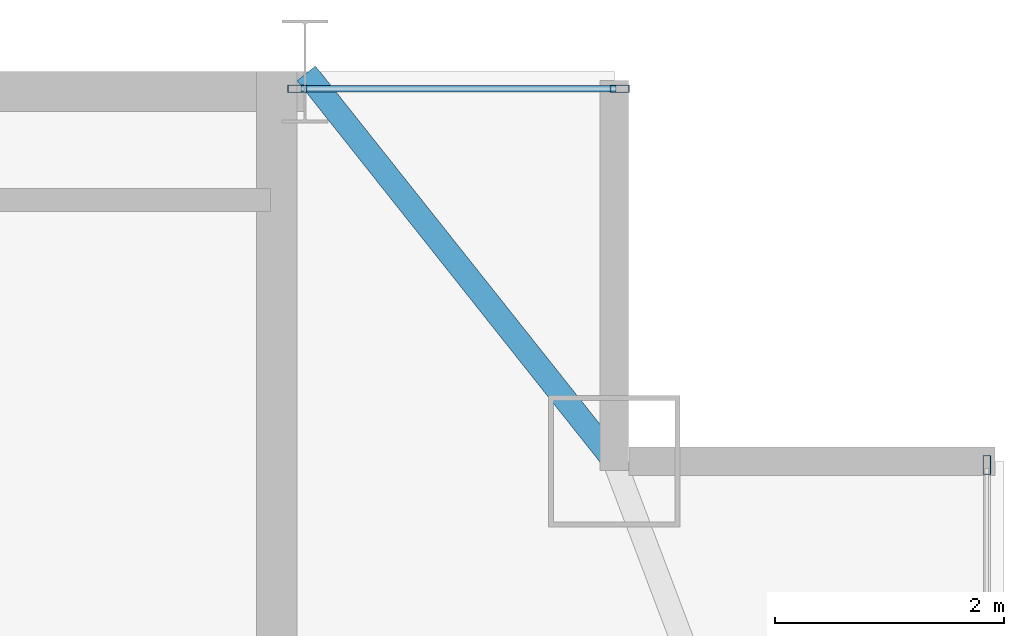
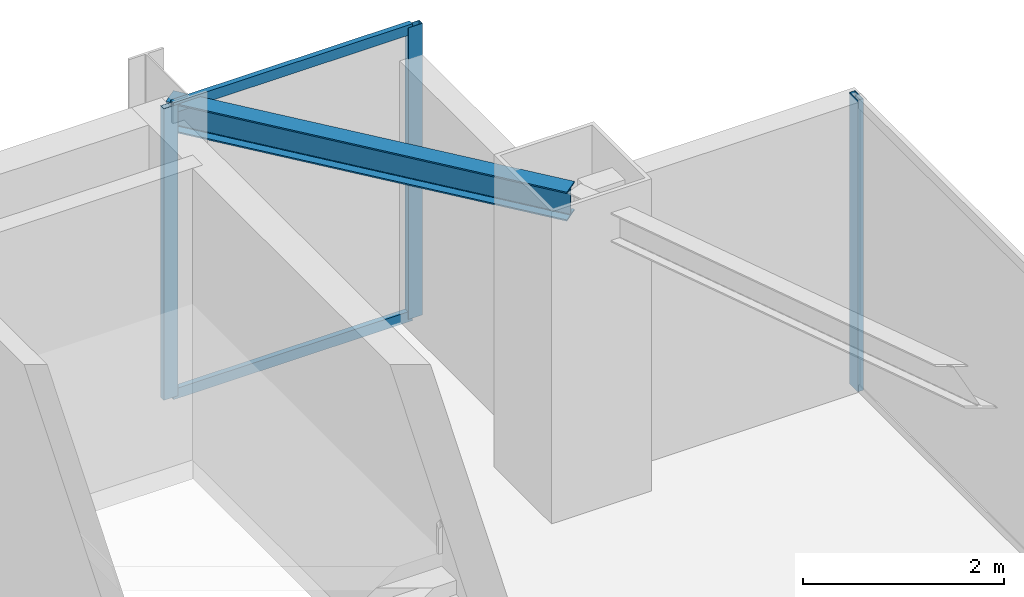
# One storey, part 22 of 30: 5 members, 1 beam, 2 elements without a shape of their own.
"""IFC4 building model written with IfcOpenShell, lengths in metres."""

from ifc_helpers import new_model, si_unit, direction, frame, origin, origin_2d, place, context, subcontext, project, spatial, hollow_rectangle, i_section, extrude, source, transform, mapped, material, layer, layer_set, material_profile, profile_set, type_object, type_shapes, element, aggregate, save


model = new_model("IFC4")

# Units and contexts
model_context = context("Model", 3, precision=1e-05, world=origin(), true_north=direction((0.0, 1.0)))
body_context = subcontext(model_context, "Body", "Model", "MODEL_VIEW")
ifc_project = project(units=[si_unit("LENGTHUNIT", "METRE"), si_unit("AREAUNIT", "SQUARE_METRE"), si_unit("VOLUMEUNIT", "CUBIC_METRE"), si_unit("PLANEANGLEUNIT", "RADIAN"), si_unit("MASSUNIT", "GRAM", prefix="KILO")], contexts=[model_context])

# Site, building, storey
site_placement = place(None, origin())
site = spatial("IfcSite", under=ifc_project, at=site_placement, CompositionType="ELEMENT")
building_placement = place(site_placement, origin())
building = spatial("IfcBuilding", under=site, at=building_placement, Name="Varnel Quay Broadcast Tower", CompositionType="ELEMENT")
storey_placement = place(building_placement, frame((0.0, 0.0, 247.0)))
storey = spatial("IfcBuildingStorey", under=building, at=storey_placement, Name="L61", CompositionType="ELEMENT", Elevation=247.0)

# Beam
ifc_material_1 = material(Name="Structural Steel CSA G40.21 350W", Category="steel")
ifc_material_profile_1 = material_profile(ifc_material_1, i_section(OverallWidth=0.205078125, OverallDepth=0.35400390625, WebThickness=0.009521484375, FlangeThickness=0.016845703125, FilletRadius=0.012939453125, at=origin_2d()), Name="W360X79")
ifc_profile_set_1 = profile_set([ifc_material_profile_1], Name="Structural Steel CSA G40.21 350W")
beam_type = type_object("IfcBeamType", Name="Beam_W360X79", PredefinedType="SPANDREL", material=ifc_profile_set_1)
shared_shape_1 = source(origin(), body_context, "Body", "SweptSolid", [
    extrude(i_section(OverallWidth=0.205078125, OverallDepth=0.35400390625, WebThickness=0.009521484375, FlangeThickness=0.016845703125, FilletRadius=0.012939453125, at=origin_2d()), origin(), (0.0, 0.0, 1.0), 4.301513671875),
])
type_shapes(beam_type, [shared_shape_1])
beam_placement = place(storey_placement, frame((52.412353515625, 46.7841796875, 3.373046875), z_axis=(0.621936399401, -0.783067758946, 0.0), x_axis=(0.783067758946, 0.621936399401, 0.0)))
element("IfcBeam", 1, at=beam_placement, inside=storey, type_object=beam_type, Name="L61 NE Tie Spandrel", PredefinedType="SPANDREL", context=body_context, shape_type="MappedRepresentation", body=[
    mapped(shared_shape_1, transform((0.0, 0.0, 0.0), x_axis=(1.0, 0.0, 0.0), y_axis=(0.0, 1.0, 0.0), z_axis=(0.0, 0.0, 1.0), scale=1.0)),
])

# Curtain wall, member
ifc_material_2 = material(Name="Anodised Bronze Aluminium 6063-T6", Category="aluminium")
ifc_layer = layer(ifc_material_2, 0.18994140625, Name="Anodised Bronze Aluminium 6063-T6")
ifc_layer_set = layer_set([ifc_layer], Name="Anodised Bronze Aluminium 6063-T6")
curtain_wall_type = type_object("IfcCurtainWallType", Name="CW_UpperTower", PredefinedType="NOTDEFINED", material=ifc_layer_set)
curtain_wall_1_placement = place(storey_placement, origin())
curtain_wall_1 = element("IfcCurtainWall", 2, at=curtain_wall_1_placement, inside=storey, type_object=curtain_wall_type, Name="L61 East Unitised Curtain Wall", PredefinedType="NOTDEFINED")
ifc_material_profile_2 = material_profile(ifc_material_2, hollow_rectangle(XDim=0.06494140625, YDim=0.1650390625, WallThickness=0.00341796875, at=origin_2d()), Name="ALU65X165X3.5")
ifc_profile_set_2 = profile_set([ifc_material_profile_2], Name="Anodised Bronze Aluminium 6063-T6")
member_type_1 = type_object("IfcMemberType", Name="Mull_CWS-03", PredefinedType="MULLION", material=ifc_profile_set_2)
shared_shape_2 = source(origin(), body_context, "Body", "SweptSolid", [
    extrude(hollow_rectangle(XDim=0.06494140625, YDim=0.1650390625, WallThickness=0.00341796875, at=origin_2d()), origin(), (0.0, 0.0, 1.0), 3.550048828125),
])
type_shapes(member_type_1, [shared_shape_2])
member_1_placement = place(storey_placement, frame((58.35009765625, 43.367431640625, 0.0), z_axis=(0.0, 0.0, 1.0), x_axis=(-1.0, 0.0, 0.0)))
member_1 = element("IfcMember", 3, at=member_1_placement, type_object=member_type_1, Name="CWS-03 mullion 3", PredefinedType="MULLION", context=body_context, shape_type="MappedRepresentation", body=[
    mapped(shared_shape_2, transform((0.0, 0.0, 0.0), x_axis=(1.0, 0.0, 0.0), y_axis=(0.0, 1.0, 0.0), z_axis=(0.0, 0.0, 1.0), scale=1.0)),
])
aggregate(curtain_wall_1, [member_1])

# Curtain wall, members
curtain_wall_2_placement = place(storey_placement, origin())
curtain_wall_2 = element("IfcCurtainWall", 4, at=curtain_wall_2_placement, inside=storey, type_object=curtain_wall_type, Name="L61 NE Wing Curtain Wall", PredefinedType="NOTDEFINED")
member_2_placement = place(storey_placement, frame((52.33251953125, 46.64990234375, 0.0), z_axis=(0.0, 0.0, 1.0), x_axis=(0.0, 1.0, 0.0)))
member_2 = element("IfcMember", 5, at=member_2_placement, type_object=member_type_1, Name="CWS-03 mullion 1", PredefinedType="MULLION", context=body_context, shape_type="MappedRepresentation", body=[
    mapped(shared_shape_2, transform((0.0, 0.0, 0.0), x_axis=(1.0, 0.0, 0.0), y_axis=(0.0, 1.0, 0.0), z_axis=(0.0, 0.0, 1.0), scale=1.0)),
])
member_3_placement = place(storey_placement, frame((55.1474609375, 46.64990234375, 0.0), z_axis=(0.0, 0.0, 1.0), x_axis=(0.0, 1.0, 0.0)))
member_3 = element("IfcMember", 6, at=member_3_placement, type_object=member_type_1, Name="CWS-03 mullion 2", PredefinedType="MULLION", context=body_context, shape_type="MappedRepresentation", body=[
    mapped(shared_shape_2, transform((0.0, 0.0, 0.0), x_axis=(1.0, 0.0, 0.0), y_axis=(0.0, 1.0, 0.0), z_axis=(0.0, 0.0, 1.0), scale=1.0)),
])
ifc_material_profile_3 = material_profile(ifc_material_2, hollow_rectangle(XDim=0.06005859375, YDim=0.125, WallThickness=0.0029296875, at=origin_2d()), Name="ALU60X125X3")
ifc_profile_set_3 = profile_set([ifc_material_profile_3], Name="Anodised Bronze Aluminium 6063-T6")
member_type_2 = type_object("IfcMemberType", Name="Tran_CWS-03", PredefinedType="USERDEFINED", material=ifc_profile_set_3)
shared_shape_3 = source(origin(), body_context, "Body", "SweptSolid", [
    extrude(hollow_rectangle(XDim=0.06005859375, YDim=0.125, WallThickness=0.0029296875, at=origin_2d()), origin(), (0.0, 0.0, 1.0), 2.75),
])
type_shapes(member_type_2, [shared_shape_3])
member_4_placement = place(storey_placement, frame((52.364990234375, 46.64990234375, 0.030029296875), z_axis=(1.0, 0.0, 0.0), x_axis=(0.0, 1.0, 0.0)))
member_4 = element("IfcMember", 7, at=member_4_placement, type_object=member_type_2, Name="CWS-03 transom 1.1", ObjectType="TRANSOM", PredefinedType="USERDEFINED", context=body_context, shape_type="MappedRepresentation", body=[
    mapped(shared_shape_3, transform((0.0, 0.0, 0.0), x_axis=(1.0, 0.0, 0.0), y_axis=(0.0, 1.0, 0.0), z_axis=(0.0, 0.0, 1.0), scale=1.0)),
])
member_5_placement = place(storey_placement, frame((52.364990234375, 46.64990234375, 3.52001953125), z_axis=(1.0, 0.0, 0.0), x_axis=(0.0, 1.0, 0.0)))
member_5 = element("IfcMember", 8, at=member_5_placement, type_object=member_type_2, Name="CWS-03 transom 1.2", ObjectType="TRANSOM", PredefinedType="USERDEFINED", context=body_context, shape_type="MappedRepresentation", body=[
    mapped(shared_shape_3, transform((0.0, 0.0, 0.0), x_axis=(1.0, 0.0, 0.0), y_axis=(0.0, 1.0, 0.0), z_axis=(0.0, 0.0, 1.0), scale=1.0)),
])
aggregate(curtain_wall_2, [member_2, member_3, member_4, member_5])

save(model, "model.ifc")
